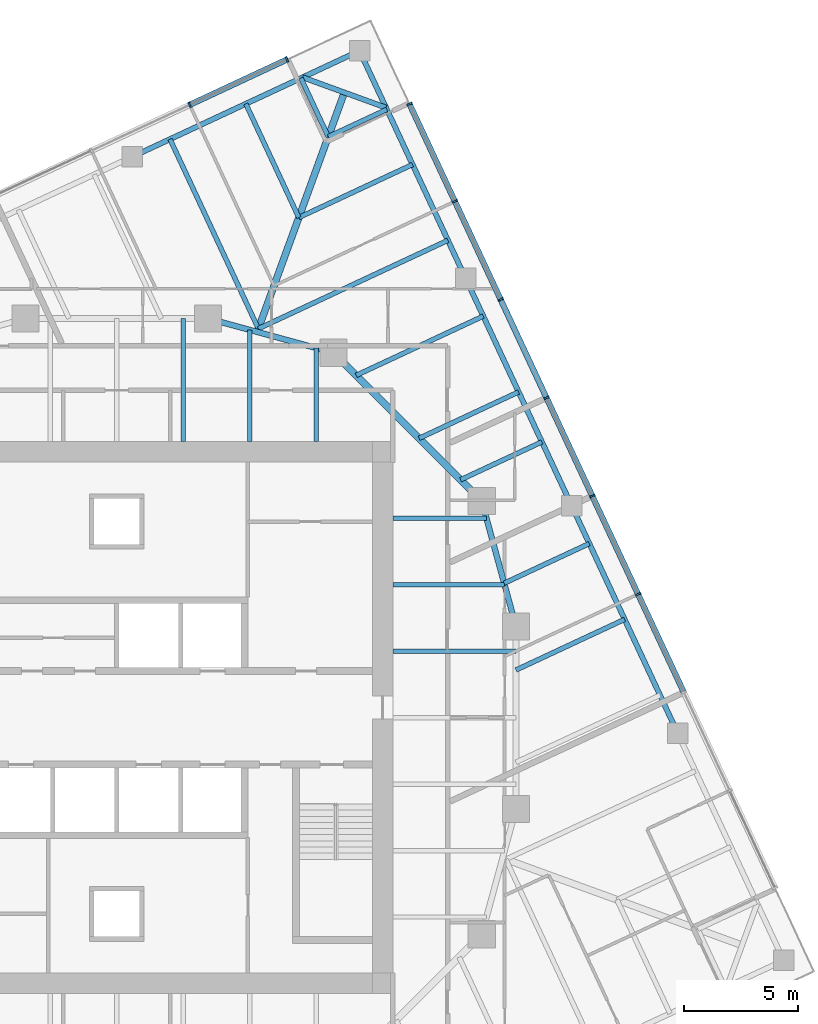
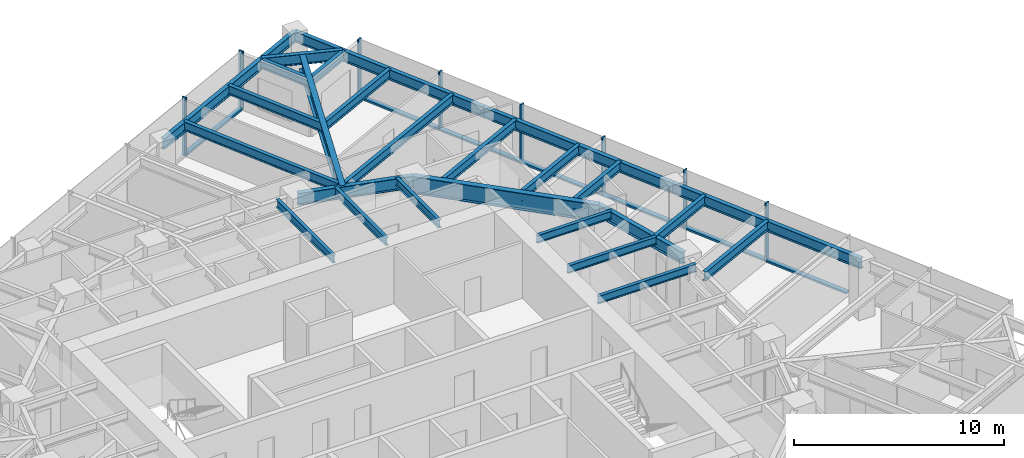
# One storey, part 5 of 13: 26 beams, 15 members, 2 elements without a shape of their own.
"""IFC4 building model written with IfcOpenShell, lengths in metres."""

from ifc_helpers import new_model, si_unit, direction, frame, origin, origin_2d, place, context, subcontext, project, spatial, rectangle, i_section, extrude, material, material_profile, profile_set, type_object, element, aggregate, save


model = new_model("IFC4")

# Units and contexts
model_context = context("Model", 3, precision=1e-05, world=origin(), true_north=direction((0.0, 1.0)))
body_context = subcontext(model_context, "Body", "Model", "MODEL_VIEW")
ifc_project = project(units=[si_unit("LENGTHUNIT", "METRE"), si_unit("AREAUNIT", "SQUARE_METRE"), si_unit("VOLUMEUNIT", "CUBIC_METRE"), si_unit("PLANEANGLEUNIT", "RADIAN"), si_unit("MASSUNIT", "GRAM", prefix="KILO")], contexts=[model_context])

# Site, building, storey
site_placement = place(None, origin())
site = spatial("IfcSite", under=ifc_project, at=site_placement, CompositionType="ELEMENT")
building_placement = place(site_placement, origin())
building = spatial("IfcBuilding", under=site, at=building_placement, Name="Torsade Residences", CompositionType="ELEMENT")
storey_placement = place(building_placement, frame((0.0, 0.0, 182.800048828125)))
storey = spatial("IfcBuildingStorey", under=building, at=storey_placement, Name="L50", CompositionType="ELEMENT", Elevation=182.800048828125)

# Beams
ifc_material_1 = material(Name="Steel grade 300", Category="steel")
ifc_material_profile_1 = material_profile(ifc_material_1, i_section(OverallWidth=0.300048828125, OverallDepth=0.89990234375, WebThickness=0.011962890625, FlangeThickness=0.02490234375, at=origin_2d()), Name="900WB175")
ifc_profile_set_1 = profile_set([ifc_material_profile_1], Name="Steel grade 300")
beam_type_1 = type_object("IfcBeamType", Name="CORNER GIRDER 900WB175", PredefinedType="BEAM", material=ifc_profile_set_1)
beam_1_placement = place(storey_placement, frame((49.97607421875, 57.4091796875, 2.800048828125), z_axis=(-0.342015044723, -0.93969447651, 0.0), x_axis=(0.93969447651, -0.342015044723, 0.0)))
element("IfcBeam", 1, at=beam_1_placement, inside=storey, type_object=beam_type_1, Name="Corner girder 09 L51", PredefinedType="BEAM", context=body_context, shape_type="SweptSolid", body=[
    extrude(i_section(OverallWidth=0.300048828125, OverallDepth=0.89990234375, WebThickness=0.011962890625, FlangeThickness=0.02490234375, at=origin_2d()), origin(), (0.0, 0.0, 1.0), 11.170654296875),
])
ifc_material_2 = material(Name="Steel grade 300", Category="steel")
ifc_material_profile_2 = material_profile(ifc_material_2, i_section(OverallWidth=0.22802734375, OverallDepth=0.60205078125, WebThickness=0.010498046875, FlangeThickness=0.014892578125, FilletRadius=0.013916015625, at=origin_2d()), Name="610UB101")
ifc_profile_set_2 = profile_set([ifc_material_profile_2], Name="Steel grade 300")
beam_type_2 = type_object("IfcBeamType", Name="CORNER TRIMMER 610UB101", PredefinedType="BEAM", material=ifc_profile_set_2)
beam_2_placement = place(storey_placement, frame((48.14892578125, 58.07421875, 2.948974609375), z_axis=(0.939698076972, -0.342005152204, 0.0), x_axis=(0.342005152204, 0.939698076972, 0.0)))
element("IfcBeam", 2, at=beam_2_placement, inside=storey, type_object=beam_type_2, Name="Corner trimmer 09 L51", PredefinedType="BEAM", context=body_context, shape_type="SweptSolid", body=[
    extrude(i_section(OverallWidth=0.22802734375, OverallDepth=0.60205078125, WebThickness=0.010498046875, FlangeThickness=0.014892578125, FilletRadius=0.013916015625, at=origin_2d()), origin(), (0.0, 0.0, 1.0), 3.88916015625),
])
ifc_material_3 = material(Name="Steel grade 300", Category="steel")
ifc_material_profile_3 = material_profile(ifc_material_3, i_section(OverallWidth=0.22900390625, OverallDepth=0.612060546875, WebThickness=0.011962890625, FlangeThickness=0.01953125, FilletRadius=0.013916015625, at=origin_2d()), Name="610UB125")
ifc_profile_set_3 = profile_set([ifc_material_profile_3], Name="Steel grade 300")
beam_type_3 = type_object("IfcBeamType", Name="EDGE BEAM 610UB125", PredefinedType="SPANDREL", material=ifc_profile_set_3)
beam_3_placement = place(storey_placement, frame((64.587646484375, 29.328125, 2.94384765625), z_axis=(-0.422624219007, 0.906305009094, 0.0), x_axis=(-0.906305009094, -0.422624219007, 0.0)))
element("IfcBeam", 3, at=beam_3_placement, inside=storey, type_object=beam_type_3, Name="Edge beam 06 L51", PredefinedType="SPANDREL", context=body_context, shape_type="SweptSolid", body=[
    extrude(i_section(OverallWidth=0.22900390625, OverallDepth=0.612060546875, WebThickness=0.011962890625, FlangeThickness=0.01953125, FilletRadius=0.013916015625, at=origin_2d()), origin(), (0.0, 0.0, 1.0), 11.000244140625),
])
for number, where, z_axis, x_axis, name in (
    (4, (59.938720703125, 39.297607421875, 2.94384765625), (-0.422605988587, 0.906313510001, 0.0), (-0.906313510001, -0.422605988587, 0.0), "Edge beam 07 L51"),
    (5, (55.2900390625, 49.26708984375, 2.94384765625), (-0.422632720171, 0.90630104482, 0.0), (-0.90630104482, -0.422632720171, 0.0), "Edge beam 08 L51"),
):
    element("IfcBeam", number, at=place(storey_placement, frame(where, z_axis=z_axis, x_axis=x_axis)), inside=storey, type_object=beam_type_3, Name=name, PredefinedType="SPANDREL", context=body_context, shape_type="SweptSolid", body=[
        extrude(i_section(OverallWidth=0.22900390625, OverallDepth=0.612060546875, WebThickness=0.011962890625, FlangeThickness=0.01953125, FilletRadius=0.013916015625, at=origin_2d()), origin(), (0.0, 0.0, 1.0), 11.0),
    ])
beam_4_placement = place(storey_placement, frame((50.64111328125, 59.236328125, 2.94384765625), z_axis=(-0.906309546032, -0.422614489543, 0.0), x_axis=(0.422614489543, -0.906309546032, 0.0)))
element("IfcBeam", 6, at=beam_4_placement, inside=storey, type_object=beam_type_3, Name="Edge beam 09 L51", PredefinedType="SPANDREL", context=body_context, shape_type="SweptSolid", body=[
    extrude(i_section(OverallWidth=0.22900390625, OverallDepth=0.612060546875, WebThickness=0.011962890625, FlangeThickness=0.01953125, FilletRadius=0.013916015625, at=origin_2d()), origin(), (0.0, 0.0, 1.0), 10.999755859375),
])
ifc_material_4 = material(Name="Steel grade 300", Category="steel")
ifc_material_profile_4 = material_profile(ifc_material_4, i_section(OverallWidth=0.18994140625, OverallDepth=0.4541015625, WebThickness=0.008544921875, FlangeThickness=0.0126953125, FilletRadius=0.011474609375, at=origin_2d()), Name="460UB67.1")
ifc_profile_set_4 = profile_set([ifc_material_profile_4], Name="Steel grade 300")
beam_type_4 = type_object("IfcBeamType", Name="INNER FLOOR BEAM 460UB67.1", PredefinedType="JOIST", material=ifc_profile_set_4)
beam_5_placement = place(storey_placement, frame((42.91259765625, 42.10009765625, 3.02294921875), z_axis=(0.0, 1.0, 0.0), x_axis=(-1.0, 0.0, 0.0)))
element("IfcBeam", 7, at=beam_5_placement, inside=storey, type_object=beam_type_4, Name="Inner floor beam IN05 L51", PredefinedType="JOIST", context=body_context, shape_type="SweptSolid", body=[
    extrude(i_section(OverallWidth=0.18994140625, OverallDepth=0.4541015625, WebThickness=0.008544921875, FlangeThickness=0.0126953125, FilletRadius=0.011474609375, at=origin_2d()), origin(), (0.0, 0.0, 1.0), 5.39990234375),
])
beam_6_placement = place(storey_placement, frame((45.824951171875, 42.10009765625, 3.02294921875), z_axis=(0.0, 1.0, 0.0), x_axis=(-1.0, 0.0, 0.0)))
element("IfcBeam", 8, at=beam_6_placement, inside=storey, type_object=beam_type_4, Name="Inner floor beam IN06 L51", PredefinedType="JOIST", context=body_context, shape_type="SweptSolid", body=[
    extrude(i_section(OverallWidth=0.18994140625, OverallDepth=0.4541015625, WebThickness=0.008544921875, FlangeThickness=0.0126953125, FilletRadius=0.011474609375, at=origin_2d()), origin(), (0.0, 0.0, 1.0), 4.902099609375),
])
beam_7_placement = place(storey_placement, frame((48.737548828125, 42.10009765625, 3.02294921875), z_axis=(0.0, 1.0, 0.0), x_axis=(-1.0, 0.0, 0.0)))
element("IfcBeam", 9, at=beam_7_placement, inside=storey, type_object=beam_type_4, Name="Inner floor beam IN07 L51", PredefinedType="JOIST", context=body_context, shape_type="SweptSolid", body=[
    extrude(i_section(OverallWidth=0.18994140625, OverallDepth=0.4541015625, WebThickness=0.008544921875, FlangeThickness=0.0126953125, FilletRadius=0.011474609375, at=origin_2d()), origin(), (0.0, 0.0, 1.0), 4.10791015625),
])
beam_8_placement = place(storey_placement, frame((52.10009765625, 32.91259765625, 3.02294921875), z_axis=(1.0, 0.0, 0.0), x_axis=(0.0, 1.0, 0.0)))
element("IfcBeam", 10, at=beam_8_placement, inside=storey, type_object=beam_type_4, Name="Inner floor beam IE05 L51", PredefinedType="JOIST", context=body_context, shape_type="SweptSolid", body=[
    extrude(i_section(OverallWidth=0.18994140625, OverallDepth=0.4541015625, WebThickness=0.008544921875, FlangeThickness=0.0126953125, FilletRadius=0.011474609375, at=origin_2d()), origin(), (0.0, 0.0, 1.0), 5.39990234375),
])
beam_9_placement = place(storey_placement, frame((52.10009765625, 35.824951171875, 3.02294921875), z_axis=(1.0, 0.0, 0.0), x_axis=(0.0, 1.0, 0.0)))
element("IfcBeam", 11, at=beam_9_placement, inside=storey, type_object=beam_type_4, Name="Inner floor beam IE06 L51", PredefinedType="JOIST", context=body_context, shape_type="SweptSolid", body=[
    extrude(i_section(OverallWidth=0.18994140625, OverallDepth=0.4541015625, WebThickness=0.008544921875, FlangeThickness=0.0126953125, FilletRadius=0.011474609375, at=origin_2d()), origin(), (0.0, 0.0, 1.0), 4.902099609375),
])
beam_10_placement = place(storey_placement, frame((52.10009765625, 38.737548828125, 3.02294921875), z_axis=(1.0, 0.0, 0.0), x_axis=(0.0, 1.0, 0.0)))
element("IfcBeam", 12, at=beam_10_placement, inside=storey, type_object=beam_type_4, Name="Inner floor beam IE07 L51", PredefinedType="JOIST", context=body_context, shape_type="SweptSolid", body=[
    extrude(i_section(OverallWidth=0.18994140625, OverallDepth=0.4541015625, WebThickness=0.008544921875, FlangeThickness=0.0126953125, FilletRadius=0.011474609375, at=origin_2d()), origin(), (0.0, 0.0, 1.0), 4.10791015625),
])

# Curtain wall, members
ifc_material_5 = material(Name="Aluminium and glass", Category="aluminium")
curtain_wall_type = type_object("IfcCurtainWallType", Name="FRITTED GLASS CURTAIN WALL MID ZONE", PredefinedType="NOTDEFINED", material=ifc_material_5)
curtain_wall_1_placement = place(storey_placement, origin())
curtain_wall_1 = element("IfcCurtainWall", 13, at=curtain_wall_1_placement, inside=storey, type_object=curtain_wall_type, Name="Curtain wall L50 face 4", PredefinedType="NOTDEFINED")
ifc_material_6 = material(Name="Aluminium mullion", Category="aluminium")
ifc_material_profile_5 = material_profile(ifc_material_6, rectangle(XDim=0.25, YDim=0.080078125, at=origin_2d()), Name="MID ZONE CURTAIN WALL MULLION 250x80")
ifc_profile_set_5 = profile_set([ifc_material_profile_5], Name="Aluminium mullion")
member_type_1 = type_object("IfcMemberType", Name="MID ZONE CURTAIN WALL MULLION 250x80", PredefinedType="MULLION", material=ifc_profile_set_5)
member_1_placement = place(storey_placement, frame((62.8525390625, 35.415283203125, 0.0), z_axis=(0.0, 0.0, 1.0), x_axis=(-0.906307786926, -0.422618261978, 0.0)))
member_1 = element("IfcMember", 14, at=member_1_placement, type_object=member_type_1, Name="Mullion 4", PredefinedType="MULLION", context=body_context, shape_type="SweptSolid", body=[
    extrude(rectangle(XDim=0.25, YDim=0.080078125, at=origin_2d()), origin(), (0.0, 0.0, 1.0), 3.39990234375),
])
member_2_placement = place(storey_placement, frame((60.844970703125, 39.72021484375, 0.0), z_axis=(0.0, 0.0, 1.0), x_axis=(-0.906307786926, -0.422618261978, 0.0)))
member_2 = element("IfcMember", 15, at=member_2_placement, type_object=member_type_1, Name="Mullion 5", PredefinedType="MULLION", context=body_context, shape_type="SweptSolid", body=[
    extrude(rectangle(XDim=0.25, YDim=0.080078125, at=origin_2d()), origin(), (0.0, 0.0, 1.0), 3.39990234375),
])
member_3_placement = place(storey_placement, frame((58.837646484375, 44.025146484375, 0.0), z_axis=(0.0, 0.0, 1.0), x_axis=(-0.906307786926, -0.422618261978, 0.0)))
member_3 = element("IfcMember", 16, at=member_3_placement, type_object=member_type_1, Name="Mullion 6", PredefinedType="MULLION", context=body_context, shape_type="SweptSolid", body=[
    extrude(rectangle(XDim=0.25, YDim=0.080078125, at=origin_2d()), origin(), (0.0, 0.0, 1.0), 3.39990234375),
])
member_4_placement = place(storey_placement, frame((56.830322265625, 48.330078125, 0.0), z_axis=(0.0, 0.0, 1.0), x_axis=(-0.906307786926, -0.422618261978, 0.0)))
member_4 = element("IfcMember", 17, at=member_4_placement, type_object=member_type_1, Name="Mullion 7", PredefinedType="MULLION", context=body_context, shape_type="SweptSolid", body=[
    extrude(rectangle(XDim=0.25, YDim=0.080078125, at=origin_2d()), origin(), (0.0, 0.0, 1.0), 3.39990234375),
])
member_5_placement = place(storey_placement, frame((54.82275390625, 52.635009765625, 0.0), z_axis=(0.0, 0.0, 1.0), x_axis=(-0.906307786926, -0.422618261978, 0.0)))
member_5 = element("IfcMember", 18, at=member_5_placement, type_object=member_type_1, Name="Mullion 8", PredefinedType="MULLION", context=body_context, shape_type="SweptSolid", body=[
    extrude(rectangle(XDim=0.25, YDim=0.080078125, at=origin_2d()), origin(), (0.0, 0.0, 1.0), 3.39990234375),
])
member_6_placement = place(storey_placement, frame((52.832275390625, 56.90380859375, 0.0), z_axis=(0.0, 0.0, 1.0), x_axis=(-0.906307786926, -0.422618261978, 0.0)))
member_6 = element("IfcMember", 19, at=member_6_placement, type_object=member_type_1, Name="Mullion 9", PredefinedType="MULLION", context=body_context, shape_type="SweptSolid", body=[
    extrude(rectangle(XDim=0.25, YDim=0.080078125, at=origin_2d()), origin(), (0.0, 0.0, 1.0), 3.39990234375),
])

curtain_wall_2_placement = place(storey_placement, origin())
curtain_wall_2 = element("IfcCurtainWall", 20, at=curtain_wall_2_placement, inside=storey, type_object=curtain_wall_type, Name="Curtain wall L50 face 7", PredefinedType="NOTDEFINED")
member_7_placement = place(storey_placement, frame((47.46337890625, 58.85791015625, 0.0), z_axis=(0.0, 0.0, 1.0), x_axis=(0.422618261978, -0.906307786926, 0.0)))
member_7 = element("IfcMember", 21, at=member_7_placement, type_object=member_type_1, Name="Mullion 1", PredefinedType="MULLION", context=body_context, shape_type="SweptSolid", body=[
    extrude(rectangle(XDim=0.25, YDim=0.080078125, at=origin_2d()), origin(), (0.0, 0.0, 1.0), 3.39990234375),
])
member_8_placement = place(storey_placement, frame((43.194580078125, 56.867431640625, 0.0), z_axis=(0.0, 0.0, 1.0), x_axis=(0.422618261978, -0.906307786926, 0.0)))
member_8 = element("IfcMember", 22, at=member_8_placement, type_object=member_type_1, Name="Mullion 2", PredefinedType="MULLION", context=body_context, shape_type="SweptSolid", body=[
    extrude(rectangle(XDim=0.25, YDim=0.080078125, at=origin_2d()), origin(), (0.0, 0.0, 1.0), 3.39990234375),
])

# Member
ifc_material_7 = material(Name="Aluminium transom", Category="aluminium")
ifc_material_profile_6 = material_profile(ifc_material_7, rectangle(XDim=0.25, YDim=0.110107421875, at=origin_2d()), Name="MID ZONE CURTAIN WALL TRANSOM 250x110")
ifc_profile_set_6 = profile_set([ifc_material_profile_6], Name="Aluminium transom")
member_type_2 = type_object("IfcMemberType", Name="MID ZONE CURTAIN WALL TRANSOM 250x110", PredefinedType="USERDEFINED", material=ifc_profile_set_6)
member_9_placement = place(storey_placement, frame((64.843017578125, 31.146484375, 0.054931640625), z_axis=(-0.422622145291, 0.906305976097, 0.0), x_axis=(-0.906305976097, -0.422622145291, 0.0)))
member_9 = element("IfcMember", 23, at=member_9_placement, type_object=member_type_2, Name="Transom 3.1", ObjectType="TRANSOM", PredefinedType="USERDEFINED", context=body_context, shape_type="SweptSolid", body=[
    extrude(rectangle(XDim=0.25, YDim=0.110107421875, at=origin_2d()), origin(), (0.0, 0.0, 1.0), 4.669921875),
])

member_10_placement = place(storey_placement, frame((62.835693359375, 35.451416015625, 0.054931640625), z_axis=(-0.422602122035, 0.90631531293, 0.0), x_axis=(-0.90631531293, -0.422602122035, 0.0)))
member_10 = element("IfcMember", 24, at=member_10_placement, type_object=member_type_2, Name="Transom 4.1", ObjectType="TRANSOM", PredefinedType="USERDEFINED", context=body_context, shape_type="SweptSolid", body=[
    extrude(rectangle(XDim=0.25, YDim=0.110107421875, at=origin_2d()), origin(), (0.0, 0.0, 1.0), 4.670166015625),
])

member_11_placement = place(storey_placement, frame((60.828125, 39.756591796875, 0.054931640625), z_axis=(-0.422622145291, 0.906305976097, 0.0), x_axis=(-0.906305976097, -0.422622145291, 0.0)))
member_11 = element("IfcMember", 25, at=member_11_placement, type_object=member_type_2, Name="Transom 5.1", ObjectType="TRANSOM", PredefinedType="USERDEFINED", context=body_context, shape_type="SweptSolid", body=[
    extrude(rectangle(XDim=0.25, YDim=0.110107421875, at=origin_2d()), origin(), (0.0, 0.0, 1.0), 4.669921875),
])

member_12_placement = place(storey_placement, frame((58.82080078125, 44.0615234375, 0.054931640625), z_axis=(-0.422622145291, 0.906305976097, 0.0), x_axis=(-0.906305976097, -0.422622145291, 0.0)))
member_12 = element("IfcMember", 26, at=member_12_placement, type_object=member_type_2, Name="Transom 6.1", ObjectType="TRANSOM", PredefinedType="USERDEFINED", context=body_context, shape_type="SweptSolid", body=[
    extrude(rectangle(XDim=0.25, YDim=0.110107421875, at=origin_2d()), origin(), (0.0, 0.0, 1.0), 4.669921875),
])

member_13_placement = place(storey_placement, frame((56.813232421875, 48.366455078125, 0.054931640625), z_axis=(-0.422622145291, 0.906305976097, 0.0), x_axis=(-0.906305976097, -0.422622145291, 0.0)))
member_13 = element("IfcMember", 27, at=member_13_placement, type_object=member_type_2, Name="Transom 7.1", ObjectType="TRANSOM", PredefinedType="USERDEFINED", context=body_context, shape_type="SweptSolid", body=[
    extrude(rectangle(XDim=0.25, YDim=0.110107421875, at=origin_2d()), origin(), (0.0, 0.0, 1.0), 4.669921875),
])

member_14_placement = place(storey_placement, frame((54.805908203125, 52.67138671875, 0.054931640625), z_axis=(-0.422622764878, 0.906305687176, 0.0), x_axis=(-0.906305687176, -0.422622764878, 0.0)))
member_14 = element("IfcMember", 28, at=member_14_placement, type_object=member_type_2, Name="Transom 8.1", ObjectType="TRANSOM", PredefinedType="USERDEFINED", context=body_context, shape_type="SweptSolid", body=[
    extrude(rectangle(XDim=0.25, YDim=0.110107421875, at=origin_2d()), origin(), (0.0, 0.0, 1.0), 4.630126953125),
])

aggregate(curtain_wall_1, [member_1, member_2, member_3, member_4, member_5, member_6, member_9, member_10, member_11, member_12, member_13, member_14])

member_15_placement = place(storey_placement, frame((47.427001953125, 58.841064453125, 0.054931640625), z_axis=(-0.906296268578, -0.422642962277, 0.0), x_axis=(0.422642962277, -0.906296268578, 0.0)))
member_15 = element("IfcMember", 29, at=member_15_placement, type_object=member_type_2, Name="Transom 1.1", ObjectType="TRANSOM", PredefinedType="USERDEFINED", context=body_context, shape_type="SweptSolid", body=[
    extrude(rectangle(XDim=0.25, YDim=0.110107421875, at=origin_2d()), origin(), (0.0, 0.0, 1.0), 4.6298828125),
])

aggregate(curtain_wall_2, [member_7, member_8, member_15])

# Beams
ifc_material_8 = material(Name="Steel grade 300", Category="steel")
ifc_material_profile_7 = material_profile(ifc_material_8, i_section(OverallWidth=0.300048828125, OverallDepth=1.0, WebThickness=0.01611328125, FlangeThickness=0.028076171875, at=origin_2d()), Name="1000WB215")
ifc_profile_set_7 = profile_set([ifc_material_profile_7], Name="Steel grade 300")
beam_type_5 = type_object("IfcBeamType", Name="RING CORNER GIRDER 1000WB215", PredefinedType="BEAM", material=ifc_profile_set_7)
beam_11_placement = place(storey_placement, frame((56.0, 39.5, 2.75), z_axis=(-0.707106781187, 0.707106781187, 0.0), x_axis=(-0.707106781187, -0.707106781187, 0.0)))
element("IfcBeam", 30, at=beam_11_placement, inside=storey, type_object=beam_type_5, Name="Ring girder IR03 L51", PredefinedType="BEAM", context=body_context, shape_type="SweptSolid", body=[
    extrude(i_section(OverallWidth=0.300048828125, OverallDepth=1.0, WebThickness=0.01611328125, FlangeThickness=0.028076171875, at=origin_2d()), origin(), (0.0, 0.0, 1.0), 9.1923828125),
])
ifc_material_9 = material(Name="Steel grade 300", Category="steel")
ifc_material_profile_8 = material_profile(ifc_material_9, i_section(OverallWidth=0.25, OverallDepth=0.699951171875, WebThickness=0.010009765625, FlangeThickness=0.02001953125, at=origin_2d()), Name="700WB130")
ifc_profile_set_8 = profile_set([ifc_material_profile_8], Name="Steel grade 300")
beam_type_6 = type_object("IfcBeamType", Name="RING GIRDER 700WB130", PredefinedType="BEAM", material=ifc_profile_set_8)
for number, where, z_axis, x_axis, name in (
    (31, (57.5, 34.0, 2.89990234375), (-0.263117405792, 0.964763821238, 0.0), (-0.964763821238, -0.263117405792, 0.0), "Ring girder IR02 L51"),
    (32, (49.5, 46.0, 2.89990234375), (-0.964763821238, 0.263117405792, 0.0), (-0.263117405792, -0.964763821238, 0.0), "Ring girder IR04 L51"),
):
    element("IfcBeam", number, at=place(storey_placement, frame(where, z_axis=z_axis, x_axis=x_axis)), inside=storey, type_object=beam_type_6, Name=name, PredefinedType="BEAM", context=body_context, shape_type="SweptSolid", body=[
        extrude(i_section(OverallWidth=0.25, OverallDepth=0.699951171875, WebThickness=0.010009765625, FlangeThickness=0.02001953125, at=origin_2d()), origin(), (0.0, 0.0, 1.0), 5.700927734375),
    ])
ifc_material_10 = material(Name="Steel grade 300", Category="steel")
ifc_material_profile_9 = material_profile(ifc_material_10, i_section(OverallWidth=0.208984375, OverallDepth=0.528076171875, WebThickness=0.009521484375, FlangeThickness=0.01318359375, FilletRadius=0.013916015625, at=origin_2d()), Name="530UB82.0")
ifc_profile_set_9 = profile_set([ifc_material_profile_9], Name="Steel grade 300")
beam_type_7 = type_object("IfcBeamType", Name="SECONDARY BEAM 530UB82.0", PredefinedType="JOIST", material=ifc_profile_set_9)
beam_12_placement = place(storey_placement, frame((62.26318359375, 34.31298828125, 2.98583984375), z_axis=(-0.90630178035, -0.422631142882, 0.0), x_axis=(0.422631142882, -0.90630178035, 0.0)))
element("IfcBeam", 33, at=beam_12_placement, inside=storey, type_object=beam_type_7, Name="Floor beam FE05 L51", PredefinedType="JOIST", context=body_context, shape_type="SweptSolid", body=[
    extrude(i_section(OverallWidth=0.208984375, OverallDepth=0.528076171875, WebThickness=0.009521484375, FlangeThickness=0.01318359375, FilletRadius=0.013916015625, at=origin_2d()), origin(), (0.0, 0.0, 1.0), 5.255615234375),
])
beam_13_placement = place(storey_placement, frame((60.713623046875, 37.635986328125, 2.98583984375), z_axis=(-0.906299775267, -0.422635442612, 0.0), x_axis=(0.422635442612, -0.906299775267, 0.0)))
element("IfcBeam", 34, at=beam_13_placement, inside=storey, type_object=beam_type_7, Name="Floor beam FE06 L51", PredefinedType="JOIST", context=body_context, shape_type="SweptSolid", body=[
    extrude(i_section(OverallWidth=0.208984375, OverallDepth=0.528076171875, WebThickness=0.009521484375, FlangeThickness=0.01318359375, FilletRadius=0.013916015625, at=origin_2d()), origin(), (0.0, 0.0, 1.0), 4.116455078125),
])
beam_14_placement = place(storey_placement, frame((58.6357421875, 42.092041015625, 2.98583984375), z_axis=(-0.906295680735, -0.422644222818, 0.0), x_axis=(0.422644222818, -0.906295680735, 0.0)))
element("IfcBeam", 35, at=beam_14_placement, inside=storey, type_object=beam_type_7, Name="Floor beam FE07 L51", PredefinedType="JOIST", context=body_context, shape_type="SweptSolid", body=[
    extrude(i_section(OverallWidth=0.208984375, OverallDepth=0.528076171875, WebThickness=0.009521484375, FlangeThickness=0.01318359375, FilletRadius=0.013916015625, at=origin_2d()), origin(), (0.0, 0.0, 1.0), 3.933837890625),
])
beam_15_placement = place(storey_placement, frame((57.6142578125, 44.2822265625, 2.98583984375), z_axis=(-0.906307500203, -0.422618876857, 0.0), x_axis=(0.422618876857, -0.906307500203, 0.0)))
element("IfcBeam", 36, at=beam_15_placement, inside=storey, type_object=beam_type_7, Name="Floor beam FE08 L51", PredefinedType="JOIST", context=body_context, shape_type="SweptSolid", body=[
    extrude(i_section(OverallWidth=0.208984375, OverallDepth=0.528076171875, WebThickness=0.009521484375, FlangeThickness=0.01318359375, FilletRadius=0.013916015625, at=origin_2d()), origin(), (0.0, 0.0, 1.0), 4.813232421875),
])
beam_16_placement = place(storey_placement, frame((56.064697265625, 47.60546875, 2.98583984375), z_axis=(-0.906293692233, -0.42264848683, 0.0), x_axis=(0.42264848683, -0.906293692233, 0.0)))
element("IfcBeam", 37, at=beam_16_placement, inside=storey, type_object=beam_type_7, Name="Floor beam FE09 L51", PredefinedType="JOIST", context=body_context, shape_type="SweptSolid", body=[
    extrude(i_section(OverallWidth=0.208984375, OverallDepth=0.528076171875, WebThickness=0.009521484375, FlangeThickness=0.01318359375, FilletRadius=0.013916015625, at=origin_2d()), origin(), (0.0, 0.0, 1.0), 6.14794921875),
])
beam_17_placement = place(storey_placement, frame((54.51513671875, 50.928466796875, 2.98583984375), z_axis=(-0.90630761667, -0.422618627092, 0.0), x_axis=(0.422618627092, -0.90630761667, 0.0)))
element("IfcBeam", 38, at=beam_17_placement, inside=storey, type_object=beam_type_7, Name="Floor beam FE10 L51", PredefinedType="JOIST", context=body_context, shape_type="SweptSolid", body=[
    extrude(i_section(OverallWidth=0.208984375, OverallDepth=0.528076171875, WebThickness=0.009521484375, FlangeThickness=0.01318359375, FilletRadius=0.013916015625, at=origin_2d()), origin(), (0.0, 0.0, 1.0), 9.166748046875),
])
beam_18_placement = place(storey_placement, frame((52.965576171875, 54.251708984375, 2.98583984375), z_axis=(-0.90630104482, -0.422632720171, 0.0), x_axis=(0.422632720171, -0.90630104482, 0.0)))
element("IfcBeam", 39, at=beam_18_placement, inside=storey, type_object=beam_type_7, Name="Floor beam FE11 L51", PredefinedType="JOIST", context=body_context, shape_type="SweptSolid", body=[
    extrude(i_section(OverallWidth=0.208984375, OverallDepth=0.528076171875, WebThickness=0.009521484375, FlangeThickness=0.01318359375, FilletRadius=0.013916015625, at=origin_2d()), origin(), (0.0, 0.0, 1.0), 5.5),
])
for number, where, z_axis, x_axis, name in (
    (40, (51.838623046875, 56.66845703125, 2.98583984375), (-0.906328379221, -0.42257409885, 0.0), (0.42257409885, -0.906328379221, 0.0), "Floor beam FE12 L51"),
    (41, (48.0732421875, 58.0390625, 2.98583984375), (0.422644877104, -0.906295375613, 0.0), (0.906295375613, 0.422644877104, 0.0), "Floor beam FN01 L51"),
):
    element("IfcBeam", number, at=place(storey_placement, frame(where, z_axis=z_axis, x_axis=x_axis)), inside=storey, type_object=beam_type_7, Name=name, PredefinedType="JOIST", context=body_context, shape_type="SweptSolid", body=[
        extrude(i_section(OverallWidth=0.208984375, OverallDepth=0.528076171875, WebThickness=0.009521484375, FlangeThickness=0.01318359375, FilletRadius=0.013916015625, at=origin_2d()), origin(), (0.0, 0.0, 1.0), 2.833251953125),
    ])
beam_19_placement = place(storey_placement, frame((45.656494140625, 56.911865234375, 2.98583984375), z_axis=(0.422632720171, -0.90630104482, 0.0), x_axis=(0.90630104482, 0.422632720171, 0.0)))
element("IfcBeam", 42, at=beam_19_placement, inside=storey, type_object=beam_type_7, Name="Floor beam FN02 L51", PredefinedType="JOIST", context=body_context, shape_type="SweptSolid", body=[
    extrude(i_section(OverallWidth=0.208984375, OverallDepth=0.528076171875, WebThickness=0.009521484375, FlangeThickness=0.01318359375, FilletRadius=0.013916015625, at=origin_2d()), origin(), (0.0, 0.0, 1.0), 5.5),
])
beam_20_placement = place(storey_placement, frame((42.333251953125, 55.3623046875, 2.98583984375), z_axis=(0.422618627092, -0.90630761667, 0.0), x_axis=(0.90630761667, 0.422618627092, 0.0)))
element("IfcBeam", 43, at=beam_20_placement, inside=storey, type_object=beam_type_7, Name="Floor beam FN03 L51", PredefinedType="JOIST", context=body_context, shape_type="SweptSolid", body=[
    extrude(i_section(OverallWidth=0.208984375, OverallDepth=0.528076171875, WebThickness=0.009521484375, FlangeThickness=0.01318359375, FilletRadius=0.013916015625, at=origin_2d()), origin(), (0.0, 0.0, 1.0), 9.166748046875),
])

save(model, "model.ifc")
